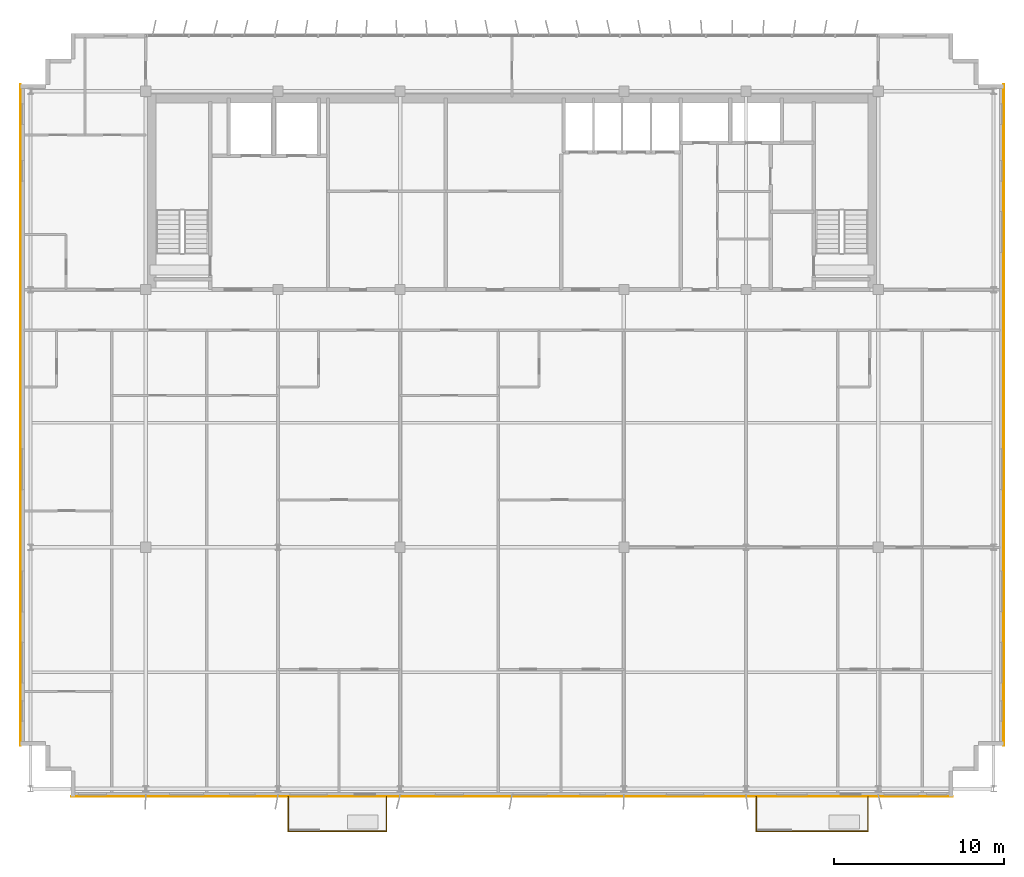
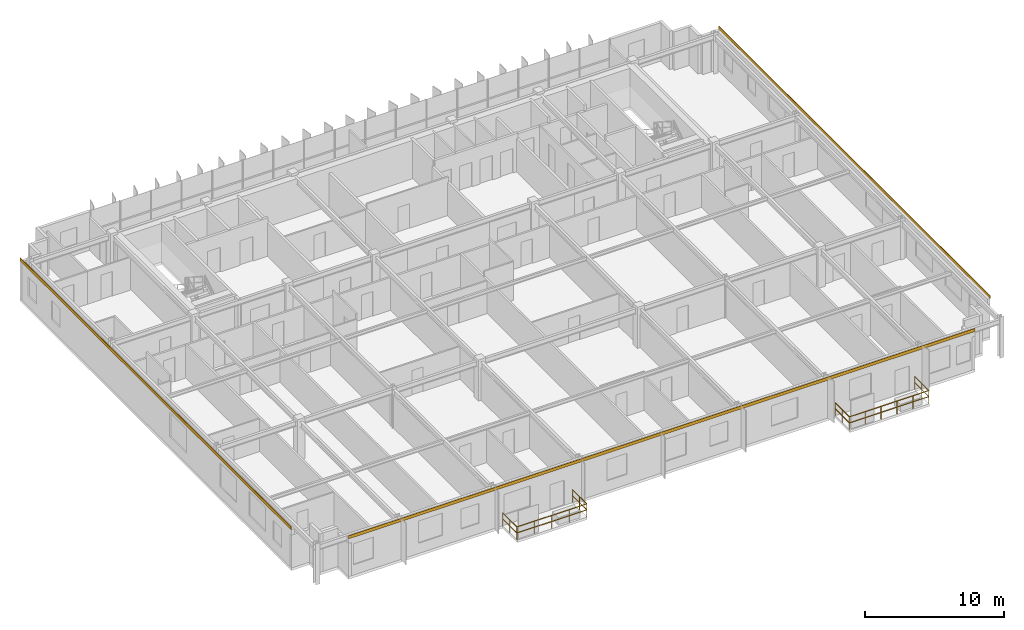
# One storey, part 22 of 23: 6 railings, 3 coverings.
"""IFC4 building model written with IfcOpenShell, lengths in metres."""

from ifc_helpers import new_model, si_unit, direction, frame, origin, origin_2d, place, context, subcontext, project, spatial, rectangle, extrude, source, transform, mapped, material, layer, layer_set, type_object, element, save


model = new_model("IFC4")

# Units and contexts
model_context = context("Model", 3, precision=1e-05, world=origin(), true_north=direction((0.0, 1.0)))
body_context = subcontext(model_context, "Body", "Model", "MODEL_VIEW")
ifc_project = project(units=[si_unit("LENGTHUNIT", "METRE"), si_unit("AREAUNIT", "SQUARE_METRE"), si_unit("VOLUMEUNIT", "CUBIC_METRE"), si_unit("PLANEANGLEUNIT", "RADIAN"), si_unit("MASSUNIT", "GRAM", prefix="KILO")], contexts=[model_context])

# Site, building, storey
site_placement = place(None, origin())
site = spatial("IfcSite", under=ifc_project, at=site_placement, CompositionType="ELEMENT")
building_placement = place(site_placement, origin())
building = spatial("IfcBuilding", under=site, at=building_placement, Name="Trelvane Seafront Commons", CompositionType="ELEMENT")
storey_placement = place(building_placement, frame((0.0, 0.0, 259.5)))
storey = spatial("IfcBuildingStorey", under=building, at=storey_placement, Name="L67", CompositionType="ELEMENT", Elevation=259.5)

# Railings
ifc_material_1 = material(Name="Stainless steel balustrade", Category="steel")
railing_type = type_object("IfcRailingType", Name="ARCH-RAIL-BAL1150", PredefinedType="BALUSTRADE", material=ifc_material_1)
railing_1_placement = place(storey_placement, frame((24.0, 3.5, 0.0)))
element("IfcRailing", 1, at=railing_1_placement, inside=storey, type_object=railing_type, Name="RL-L67-BAL0-01", PredefinedType="BALUSTRADE", context=body_context, shape_type="SweptSolid", body=[
    extrude(rectangle(XDim=0.048095703125, YDim=0.048095703125, at=origin_2d()), frame((0.0, 0.0, 1.1259765625), z_axis=(0.0, -1.0, 0.0), x_axis=(1.0, 0.0, 0.0)), (0.0, 0.0, 1.0), 2.0400390625),
    extrude(rectangle(XDim=0.048095703125, YDim=0.048095703125, at=origin_2d()), frame((0.0, 0.0, 0.597900390625), z_axis=(0.0, -1.0, 0.0), x_axis=(1.0, 0.0, 0.0)), (0.0, 0.0, 1.0), 2.0400390625),
    extrude(rectangle(XDim=0.0419921875, YDim=0.0419921875, at=origin_2d()), origin(), (0.0, 0.0, 1.0), 1.1259765625),
    extrude(rectangle(XDim=0.0419921875, YDim=0.0419921875, at=origin_2d()), frame((0.0, -1.02001953125, 0.0)), (0.0, 0.0, 1.0), 1.1259765625),
    extrude(rectangle(XDim=0.0419921875, YDim=0.0419921875, at=origin_2d()), frame((0.0, -2.0400390625, 0.0)), (0.0, 0.0, 1.0), 1.1259765625),
])
railing_2_placement = place(storey_placement, frame((24.0, 1.4599609375, 0.0)))
element("IfcRailing", 2, at=railing_2_placement, inside=storey, type_object=railing_type, Name="RL-L67-BAL0-02", PredefinedType="BALUSTRADE", context=body_context, shape_type="SweptSolid", body=[
    extrude(rectangle(XDim=0.048095703125, YDim=0.048095703125, at=origin_2d()), frame((0.0, 0.0, 1.1259765625), z_axis=(1.0, 0.0, 0.0), x_axis=(0.0, 1.0, 0.0)), (0.0, 0.0, 1.0), 5.800048828125),
    extrude(rectangle(XDim=0.048095703125, YDim=0.048095703125, at=origin_2d()), frame((0.0, 0.0, 0.597900390625), z_axis=(1.0, 0.0, 0.0), x_axis=(0.0, 1.0, 0.0)), (0.0, 0.0, 1.0), 5.800048828125),
    extrude(rectangle(XDim=0.0419921875, YDim=0.0419921875, at=origin_2d()), origin(), (0.0, 0.0, 1.0), 1.1259765625),
    extrude(rectangle(XDim=0.0419921875, YDim=0.0419921875, at=origin_2d()), frame((1.449951171875, 0.0, 0.0)), (0.0, 0.0, 1.0), 1.1259765625),
    extrude(rectangle(XDim=0.0419921875, YDim=0.0419921875, at=origin_2d()), frame((2.89990234375, 0.0, 0.0)), (0.0, 0.0, 1.0), 1.1259765625),
    extrude(rectangle(XDim=0.0419921875, YDim=0.0419921875, at=origin_2d()), frame((4.35009765625, 0.0, 0.0)), (0.0, 0.0, 1.0), 1.1259765625),
    extrude(rectangle(XDim=0.0419921875, YDim=0.0419921875, at=origin_2d()), frame((5.800048828125, 0.0, 0.0)), (0.0, 0.0, 1.0), 1.1259765625),
])
railing_3_placement = place(storey_placement, frame((29.800048828125, 1.4599609375, 0.0)))
element("IfcRailing", 3, at=railing_3_placement, inside=storey, type_object=railing_type, Name="RL-L67-BAL0-03", PredefinedType="BALUSTRADE", context=body_context, shape_type="SweptSolid", body=[
    extrude(rectangle(XDim=0.048095703125, YDim=0.048095703125, at=origin_2d()), frame((0.0, 0.0, 1.1259765625), z_axis=(0.0, 1.0, 0.0), x_axis=(-1.0, 0.0, 0.0)), (0.0, 0.0, 1.0), 2.0400390625),
    extrude(rectangle(XDim=0.048095703125, YDim=0.048095703125, at=origin_2d()), frame((0.0, 0.0, 0.597900390625), z_axis=(0.0, 1.0, 0.0), x_axis=(-1.0, 0.0, 0.0)), (0.0, 0.0, 1.0), 2.0400390625),
    extrude(rectangle(XDim=0.0419921875, YDim=0.0419921875, at=origin_2d()), origin(), (0.0, 0.0, 1.0), 1.1259765625),
    extrude(rectangle(XDim=0.0419921875, YDim=0.0419921875, at=origin_2d()), frame((0.0, 1.02001953125, 0.0)), (0.0, 0.0, 1.0), 1.1259765625),
    extrude(rectangle(XDim=0.0419921875, YDim=0.0419921875, at=origin_2d()), frame((0.0, 2.0400390625, 0.0)), (0.0, 0.0, 1.0), 1.1259765625),
])
railing_4_placement = place(storey_placement, frame((51.60009765625, 3.5, 0.0)))
element("IfcRailing", 4, at=railing_4_placement, inside=storey, type_object=railing_type, Name="RL-L67-BAL1-01", PredefinedType="BALUSTRADE", context=body_context, shape_type="SweptSolid", body=[
    extrude(rectangle(XDim=0.048095703125, YDim=0.048095703125, at=origin_2d()), frame((0.0, 0.0, 1.1259765625), z_axis=(0.0, -1.0, 0.0), x_axis=(1.0, 0.0, 0.0)), (0.0, 0.0, 1.0), 2.0400390625),
    extrude(rectangle(XDim=0.048095703125, YDim=0.048095703125, at=origin_2d()), frame((0.0, 0.0, 0.597900390625), z_axis=(0.0, -1.0, 0.0), x_axis=(1.0, 0.0, 0.0)), (0.0, 0.0, 1.0), 2.0400390625),
    extrude(rectangle(XDim=0.0419921875, YDim=0.0419921875, at=origin_2d()), origin(), (0.0, 0.0, 1.0), 1.1259765625),
    extrude(rectangle(XDim=0.0419921875, YDim=0.0419921875, at=origin_2d()), frame((0.0, -1.02001953125, 0.0)), (0.0, 0.0, 1.0), 1.1259765625),
    extrude(rectangle(XDim=0.0419921875, YDim=0.0419921875, at=origin_2d()), frame((0.0, -2.0400390625, 0.0)), (0.0, 0.0, 1.0), 1.1259765625),
])
railing_5_placement = place(storey_placement, frame((51.60009765625, 1.4599609375, 0.0)))
element("IfcRailing", 5, at=railing_5_placement, inside=storey, type_object=railing_type, Name="RL-L67-BAL1-02", PredefinedType="BALUSTRADE", context=body_context, shape_type="SweptSolid", body=[
    extrude(rectangle(XDim=0.048095703125, YDim=0.048095703125, at=origin_2d()), frame((0.0, 0.0, 1.1259765625), z_axis=(1.0, 0.0, 0.0), x_axis=(0.0, 1.0, 0.0)), (0.0, 0.0, 1.0), 6.599853515625),
    extrude(rectangle(XDim=0.048095703125, YDim=0.048095703125, at=origin_2d()), frame((0.0, 0.0, 0.597900390625), z_axis=(1.0, 0.0, 0.0), x_axis=(0.0, 1.0, 0.0)), (0.0, 0.0, 1.0), 6.599853515625),
    extrude(rectangle(XDim=0.0419921875, YDim=0.0419921875, at=origin_2d()), origin(), (0.0, 0.0, 1.0), 1.1259765625),
    extrude(rectangle(XDim=0.0419921875, YDim=0.0419921875, at=origin_2d()), frame((1.320068359375, 0.0, 0.0)), (0.0, 0.0, 1.0), 1.1259765625),
    extrude(rectangle(XDim=0.0419921875, YDim=0.0419921875, at=origin_2d()), frame((2.639892578125, 0.0, 0.0)), (0.0, 0.0, 1.0), 1.1259765625),
    extrude(rectangle(XDim=0.0419921875, YDim=0.0419921875, at=origin_2d()), frame((3.9599609375, 0.0, 0.0)), (0.0, 0.0, 1.0), 1.1259765625),
    extrude(rectangle(XDim=0.0419921875, YDim=0.0419921875, at=origin_2d()), frame((5.27978515625, 0.0, 0.0)), (0.0, 0.0, 1.0), 1.1259765625),
    extrude(rectangle(XDim=0.0419921875, YDim=0.0419921875, at=origin_2d()), frame((6.599853515625, 0.0, 0.0)), (0.0, 0.0, 1.0), 1.1259765625),
])
railing_6_placement = place(storey_placement, frame((58.199951171875, 1.4599609375, 0.0)))
element("IfcRailing", 6, at=railing_6_placement, inside=storey, type_object=railing_type, Name="RL-L67-BAL1-03", PredefinedType="BALUSTRADE", context=body_context, shape_type="SweptSolid", body=[
    extrude(rectangle(XDim=0.048095703125, YDim=0.048095703125, at=origin_2d()), frame((0.0, 0.0, 1.1259765625), z_axis=(0.0, 1.0, 0.0), x_axis=(-1.0, 0.0, 0.0)), (0.0, 0.0, 1.0), 2.0400390625),
    extrude(rectangle(XDim=0.048095703125, YDim=0.048095703125, at=origin_2d()), frame((0.0, 0.0, 0.597900390625), z_axis=(0.0, 1.0, 0.0), x_axis=(-1.0, 0.0, 0.0)), (0.0, 0.0, 1.0), 2.0400390625),
    extrude(rectangle(XDim=0.0419921875, YDim=0.0419921875, at=origin_2d()), origin(), (0.0, 0.0, 1.0), 1.1259765625),
    extrude(rectangle(XDim=0.0419921875, YDim=0.0419921875, at=origin_2d()), frame((0.0, 1.02001953125, 0.0)), (0.0, 0.0, 1.0), 1.1259765625),
    extrude(rectangle(XDim=0.0419921875, YDim=0.0419921875, at=origin_2d()), frame((0.0, 2.0400390625, 0.0)), (0.0, 0.0, 1.0), 1.1259765625),
])

# Coverings
ifc_material_2 = material(Name="Anodised pale-silver aluminium", Category="aluminium")
ifc_layer = layer(ifc_material_2, 0.034912109375, Name="ARCH-COV-CLAD35")
ifc_layer_set = layer_set([ifc_layer], Name="Anodised pale-silver aluminium")
covering_type = type_object("IfcCoveringType", Name="ARCH-COV-CLAD35", PredefinedType="CLADDING", material=ifc_layer_set)
shared_shape_1 = source(origin(), body_context, "Body", "SweptSolid", [
    extrude(rectangle(XDim=39.0, YDim=0.034912109375, at=origin_2d()), origin(), (0.0, 0.0, 1.0), 0.27001953125),
])
for number, where, z_axis, x_axis, name in (
    (7, (8.199951171875, 26.0, 3.330078125), (0.0, 0.0, 1.0), (0.0, 1.0, 0.0), "CLD-L67-00272"),
    (8, (66.199951171875, 26.0, 3.330078125), (0.0, 0.0, 1.0), (0.0, -1.0, 0.0), "CLD-L67-00273"),
):
    element("IfcCovering", number, at=place(storey_placement, frame(where, z_axis=z_axis, x_axis=x_axis)), inside=storey, type_object=covering_type, Name=name, PredefinedType="CLADDING", context=body_context, shape_type="MappedRepresentation", body=[
        mapped(shared_shape_1, transform((0.0, 0.0, 0.0), x_axis=(1.0, 0.0, 0.0), y_axis=(0.0, 1.0, 0.0), z_axis=(0.0, 0.0, 1.0), scale=1.0)),
    ])
shared_shape_2 = source(origin(), body_context, "Body", "SweptSolid", [
    extrude(rectangle(XDim=52.0, YDim=0.034912109375, at=origin_2d()), origin(), (0.0, 0.0, 1.0), 0.27001953125),
])
covering_placement = place(storey_placement, frame((37.199951171875, 3.5, 3.330078125), z_axis=(0.0, 0.0, 1.0), x_axis=(-1.0, 0.0, 0.0)))
element("IfcCovering", 9, at=covering_placement, inside=storey, type_object=covering_type, Name="CLD-L67-00274", PredefinedType="CLADDING", context=body_context, shape_type="MappedRepresentation", body=[
    mapped(shared_shape_2, transform((0.0, 0.0, 0.0), x_axis=(1.0, 0.0, 0.0), y_axis=(0.0, 1.0, 0.0), z_axis=(0.0, 0.0, 1.0), scale=1.0)),
])

save(model, "model.ifc")
